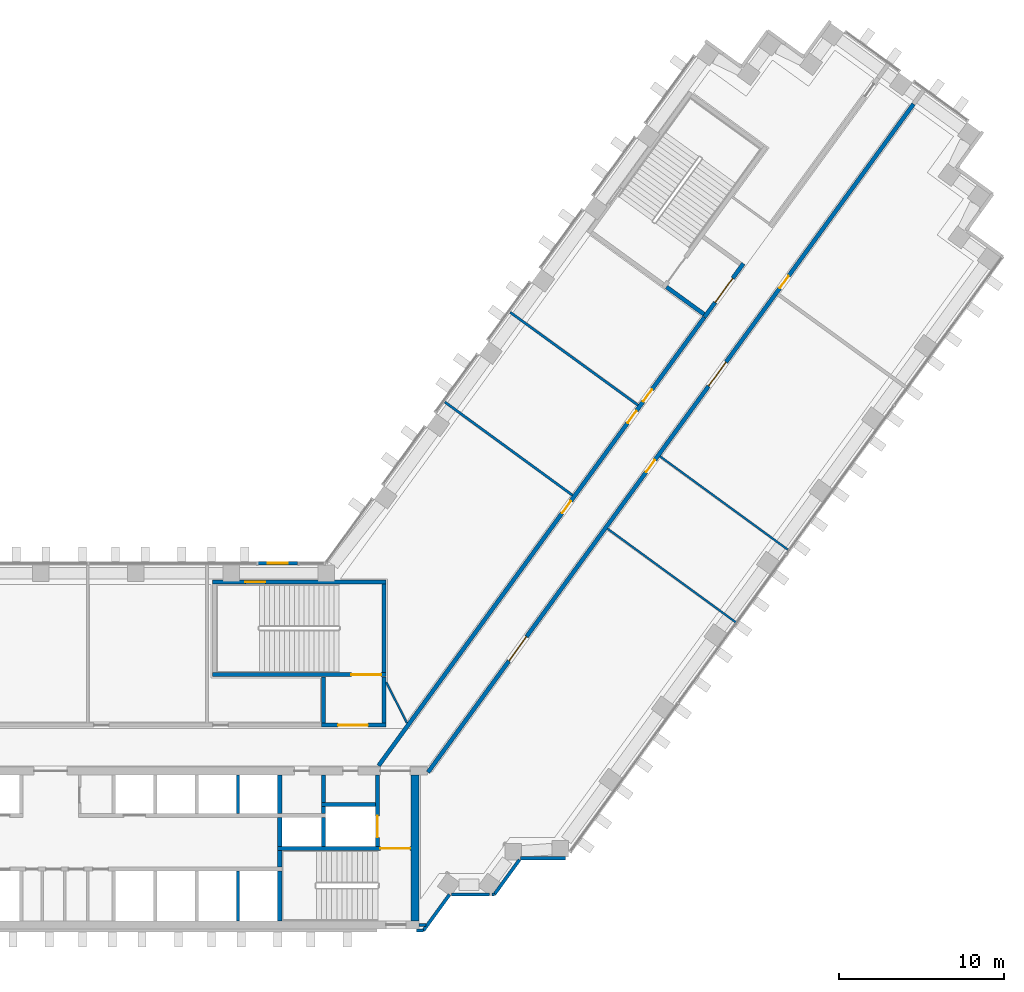
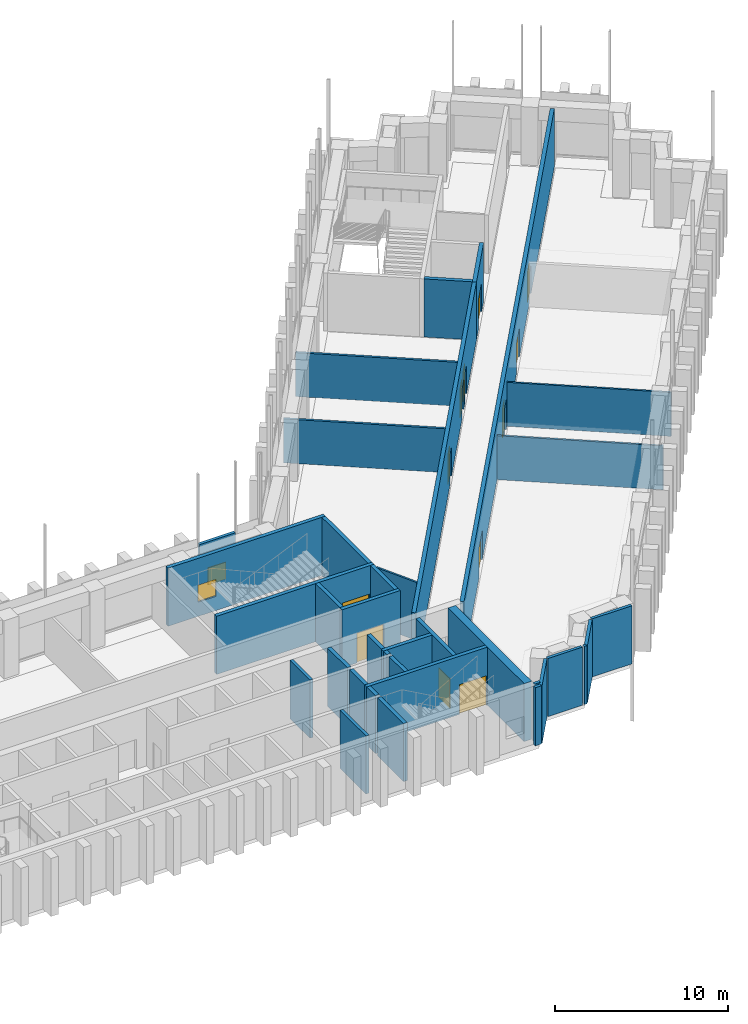
# One storey, part 13 of 18: 36 walls, 12 doors, 2 windows, 14 openings.
"""IFC4 building model written with IfcOpenShell, lengths in metres."""

from ifc_helpers import new_model, si_unit, direction, frame, frame_2d, origin, place, context, subcontext, project, spatial, rectangle, extrude, material, layer, layer_set, type_object, element, fill, save


model = new_model("IFC4")

# Units and contexts
model_context = context("Model", 3, precision=1e-05, world=origin(), true_north=direction((0.0, 1.0)))
body_context = subcontext(model_context, "Body", "Model", "MODEL_VIEW")
ifc_project = project(units=[si_unit("LENGTHUNIT", "METRE"), si_unit("AREAUNIT", "SQUARE_METRE"), si_unit("VOLUMEUNIT", "CUBIC_METRE"), si_unit("PLANEANGLEUNIT", "RADIAN"), si_unit("MASSUNIT", "GRAM", prefix="KILO")], contexts=[model_context])

# Site, building, storey
site_placement = place(None, origin())
site = spatial("IfcSite", under=ifc_project, at=site_placement, CompositionType="ELEMENT")
building_placement = place(site_placement, origin())
building = spatial("IfcBuilding", under=site, at=building_placement, Name="Quipu Civic Tower", CompositionType="ELEMENT")
storey_placement = place(building_placement, frame((0.0, 0.0, 16.0)))
storey = spatial("IfcBuildingStorey", under=building, at=storey_placement, Name="L03", CompositionType="ELEMENT", Elevation=16.0)

# Walls
ifc_material_1 = material(Name="Double gypsum plasterboard with mineral wool")
ifc_layer_1 = layer(ifc_material_1, 0.14990234375)
ifc_layer_set_1 = layer_set([ifc_layer_1], Name="Double gypsum plasterboard with mineral wool")
wall_type_1 = type_object("IfcWallType", Name="Acoustic partition 150 plasterboard", PredefinedType="PARTITIONING", material=ifc_layer_set_1)
wall_1_placement = place(storey_placement, frame((21.55029296875, 20.847900390625, 0.0), z_axis=(0.0, 0.0, 1.0), x_axis=(0.807606997933, -0.589721067023, 0.0)))
element("IfcWall", 1, at=wall_1_placement, inside=storey, type_object=wall_type_1, Name="Partition P01", PredefinedType="PARTITIONING", context=body_context, shape_type="SweptSolid", body=[
    extrude(rectangle(XDim=9.550048828125, YDim=0.14990234375, at=frame_2d((4.77490234375, 0.0))), origin(), (0.0, 0.0, 1.0), 3.10009765625),
])
wall_2_placement = place(storey_placement, frame((33.21826171875, 20.660888671875, 0.0), z_axis=(0.0, 0.0, 1.0), x_axis=(-0.808989175209, 0.587823540184, 0.0)))
element("IfcWall", 2, at=wall_2_placement, inside=storey, type_object=wall_type_1, Name="Partition P02", PredefinedType="PARTITIONING", context=body_context, shape_type="SweptSolid", body=[
    extrude(rectangle(XDim=9.549560546875, YDim=0.14990234375, at=frame_2d((4.77490234375, 0.0))), origin(), (0.0, 0.0, 1.0), 3.10009765625),
])
ifc_material_2 = material(Name="Concrete C70/85", Category="concrete")
ifc_layer_2 = layer(ifc_material_2, 0.25)
ifc_layer_set_2 = layer_set([ifc_layer_2], Name="Concrete C70/85")
wall_type_2 = type_object("IfcWallType", Name="Core wall 250", PredefinedType="SHEAR", material=ifc_layer_set_2)
wall_3_placement = place(storey_placement, frame((11.574951171875, -10.5, 0.0), z_axis=(0.0, 0.0, 1.0), x_axis=(0.0, 1.0, 0.0)))
element("IfcWall", 3, at=wall_3_placement, inside=storey, type_object=wall_type_2, Name="Core wall", PredefinedType="SHEAR", context=body_context, shape_type="SweptSolid", body=[
    extrude(rectangle(XDim=3.0, YDim=0.25, at=frame_2d((1.5, 0.0))), origin(), (0.0, 0.0, 1.0), 4.10009765625),
])
wall_4_placement = place(storey_placement, frame((11.574951171875, -7.25, 0.0), z_axis=(0.0, 0.0, 1.0), x_axis=(0.0, 1.0, 0.0)))
element("IfcWall", 4, at=wall_4_placement, inside=storey, type_object=wall_type_2, Name="Core wall", PredefinedType="SHEAR", context=body_context, shape_type="SweptSolid", body=[
    extrude(rectangle(XDim=1.0, YDim=0.25, at=frame_2d((0.5, 0.0))), origin(), (0.0, 0.0, 1.0), 4.10009765625),
])

# Wall, opening, door
wall_5_placement = place(storey_placement, frame((19.5, -6.125, 0.0), z_axis=(0.0, 0.0, 1.0), x_axis=(-1.0, 0.0, 0.0)))
wall_5 = element("IfcWall", 5, at=wall_5_placement, inside=storey, type_object=wall_type_2, Name="Core wall", PredefinedType="SHEAR", context=body_context, shape_type="SweptSolid", body=[
    extrude(rectangle(XDim=8.050048828125, YDim=0.25, at=frame_2d((4.02490234375, 0.0))), origin(), (0.0, 0.0, 1.0), 4.10009765625),
])
opening_1_placement = place(wall_5_placement, frame((0.050048828125, 0.0, 0.0)))
opening_1 = element("IfcOpeningElement", 6, at=opening_1_placement, cuts=wall_5, Name="Opening CD-06", PredefinedType="OPENING", context=body_context, shape_type="SweptSolid", body=[
    extrude(rectangle(XDim=1.800048828125, YDim=2.10009765625, at=frame_2d((0.89990234375, 1.050048828125))), frame((0.0, 0.135009765625, 0.0), z_axis=(0.0, -1.0, 0.0), x_axis=(1.0, 0.0, 0.0)), (0.0, 0.0, 1.0), 0.27001953125),
])
ifc_material_3 = material(Name="Fire rated steel door", Category="steel")
door_type_1 = type_object("IfcDoorType", Name="Fire door FD90 double 1800 x 2100", OperationType="NOTDEFINED", PredefinedType="DOOR", material=ifc_material_3)
door_1_placement = place(opening_1_placement, origin())
door_1 = element("IfcDoor", 7, at=door_1_placement, inside=storey, type_object=door_type_1, Name="Door", OperationType="DOUBLE_DOOR_SINGLE_SWING", OverallHeight=2.10009765625, OverallWidth=1.800048828125, PredefinedType="DOOR", context=body_context, shape_type="SweptSolid", body=[
    extrude(rectangle(XDim=1.800048828125, YDim=2.10009765625, at=frame_2d((0.89990234375, 1.050048828125))), frame((0.0, 0.02490234375, 0.0), z_axis=(0.0, -1.0, 0.0), x_axis=(1.0, 0.0, 0.0)), (0.0, 0.0, 1.0), 0.050048828125),
])
fill(opening_1, door_1)

# Walls
for number, where, z_axis, x_axis, name in (
    (8, (11.574951171875, -6.0, 0.0), (0.0, 0.0, 1.0), (0.0, 1.0, 0.0), "Core wall"),
    (9, (14.22509765625, -6.0, 0.0), (0.0, 0.0, 1.0), (0.0, 1.0, 0.0), "Core wall"),
):
    element("IfcWall", number, at=place(storey_placement, frame(where, z_axis=z_axis, x_axis=x_axis)), inside=storey, type_object=wall_type_2, Name=name, PredefinedType="SHEAR", context=body_context, shape_type="SweptSolid", body=[
        extrude(rectangle(XDim=1.75, YDim=0.25, at=frame_2d((0.875, 0.0))), origin(), (0.0, 0.0, 1.0), 4.10009765625),
    ])

# Wall, opening, door
wall_6_placement = place(storey_placement, frame((17.47509765625, -6.0, 0.0), z_axis=(0.0, 0.0, 1.0), x_axis=(0.0, 1.0, 0.0)))
wall_6 = element("IfcWall", 10, at=wall_6_placement, inside=storey, type_object=wall_type_2, Name="Core wall", PredefinedType="SHEAR", context=body_context, shape_type="SweptSolid", body=[
    extrude(rectangle(XDim=4.300048828125, YDim=0.25, at=frame_2d((2.14990234375, 0.0))), origin(), (0.0, 0.0, 1.0), 4.10009765625),
])
opening_2_placement = place(wall_6_placement, frame((0.550048828125, 0.0, 0.0)))
opening_2 = element("IfcOpeningElement", 11, at=opening_2_placement, cuts=wall_6, Name="Opening LD-FF2", PredefinedType="OPENING", context=body_context, shape_type="SweptSolid", body=[
    extrude(rectangle(XDim=1.300048828125, YDim=2.10009765625, at=frame_2d((0.64990234375, 1.050048828125))), frame((0.0, 0.135009765625, 0.0), z_axis=(0.0, -1.0, 0.0), x_axis=(1.0, 0.0, 0.0)), (0.0, 0.0, 1.0), 0.27001953125),
])
ifc_material_4 = material(Name="Stainless steel", Category="steel")
door_type_2 = type_object("IfcDoorType", Name="Lift landing door 1300 x 2100", OperationType="DOUBLE_DOOR_SLIDING", PredefinedType="DOOR", material=ifc_material_4)
door_2_placement = place(opening_2_placement, origin())
door_2 = element("IfcDoor", 12, at=door_2_placement, inside=storey, type_object=door_type_2, Name="Landing door FF2", OperationType="DOUBLE_DOOR_SLIDING", OverallHeight=2.10009765625, OverallWidth=1.300048828125, PredefinedType="DOOR", context=body_context, shape_type="SweptSolid", body=[
    extrude(rectangle(XDim=1.300048828125, YDim=2.10009765625, at=frame_2d((0.64990234375, 1.050048828125))), frame((0.0, 0.02490234375, 0.0), z_axis=(0.0, -1.0, 0.0), x_axis=(1.0, 0.0, 0.0)), (0.0, 0.0, 1.0), 0.050048828125),
])
fill(opening_2, door_2)

# Walls
wall_7_placement = place(storey_placement, frame((11.574951171875, -4.0, 0.0), z_axis=(0.0, 0.0, 1.0), x_axis=(0.0, 1.0, 0.0)))
element("IfcWall", 13, at=wall_7_placement, inside=storey, type_object=wall_type_2, Name="Core wall", PredefinedType="SHEAR", context=body_context, shape_type="SweptSolid", body=[
    extrude(rectangle(XDim=2.300048828125, YDim=0.25, at=frame_2d((1.14990234375, 0.0))), origin(), (0.0, 0.0, 1.0), 4.10009765625),
])
wall_8_placement = place(storey_placement, frame((14.22509765625, -4.0, 0.0), z_axis=(0.0, 0.0, 1.0), x_axis=(0.0, 1.0, 0.0)))
element("IfcWall", 14, at=wall_8_placement, inside=storey, type_object=wall_type_2, Name="Core wall", PredefinedType="SHEAR", context=body_context, shape_type="SweptSolid", body=[
    extrude(rectangle(XDim=0.39990234375, YDim=0.25, at=frame_2d((0.199951171875, 0.0))), origin(), (0.0, 0.0, 1.0), 4.10009765625),
])
wall_9_placement = place(storey_placement, frame((14.10009765625, -3.47509765625, 0.0), z_axis=(0.0, 0.0, 1.0), x_axis=(1.0, 0.0, 0.0)))
element("IfcWall", 15, at=wall_9_placement, inside=storey, type_object=wall_type_2, Name="Core wall", PredefinedType="SHEAR", context=body_context, shape_type="SweptSolid", body=[
    extrude(rectangle(XDim=3.25, YDim=0.25, at=frame_2d((1.625, 0.0))), origin(), (0.0, 0.0, 1.0), 4.10009765625),
])
wall_10_placement = place(storey_placement, frame((14.22509765625, -3.35009765625, 0.0), z_axis=(0.0, 0.0, 1.0), x_axis=(0.0, 1.0, 0.0)))
element("IfcWall", 16, at=wall_10_placement, inside=storey, type_object=wall_type_2, Name="Core wall", PredefinedType="SHEAR", context=body_context, shape_type="SweptSolid", body=[
    extrude(rectangle(XDim=1.650146484375, YDim=0.25, at=frame_2d((0.8251953125, 0.0))), origin(), (0.0, 0.0, 1.0), 4.10009765625),
])

# Wall, opening, door
wall_11_placement = place(storey_placement, frame((14.10009765625, 1.324951171875, 0.0), z_axis=(0.0, 0.0, 1.0), x_axis=(1.0, 0.0, 0.0)))
wall_11 = element("IfcWall", 17, at=wall_11_placement, inside=storey, type_object=wall_type_2, Name="Core wall", PredefinedType="SHEAR", context=body_context, shape_type="SweptSolid", body=[
    extrude(rectangle(XDim=3.89990234375, YDim=0.25, at=frame_2d((1.949951171875, 0.0))), origin(), (0.0, 0.0, 1.0), 4.10009765625),
])
opening_3_placement = place(wall_11_placement, frame((1.0, 0.0, 0.0)))
opening_3 = element("IfcOpeningElement", 18, at=opening_3_placement, cuts=wall_11, Name="Opening CD-18", PredefinedType="OPENING", context=body_context, shape_type="SweptSolid", body=[
    extrude(rectangle(XDim=1.800048828125, YDim=2.10009765625, at=frame_2d((0.89990234375, 1.050048828125))), frame((0.0, 0.135009765625, 0.0), z_axis=(0.0, -1.0, 0.0), x_axis=(1.0, 0.0, 0.0)), (0.0, 0.0, 1.0), 0.27001953125),
])
door_3_placement = place(opening_3_placement, origin())
door_3 = element("IfcDoor", 19, at=door_3_placement, inside=storey, type_object=door_type_1, Name="Lobby door", OperationType="DOUBLE_DOOR_SINGLE_SWING", OverallHeight=2.10009765625, OverallWidth=1.800048828125, PredefinedType="DOOR", context=body_context, shape_type="SweptSolid", body=[
    extrude(rectangle(XDim=1.800048828125, YDim=2.10009765625, at=frame_2d((0.89990234375, 1.050048828125))), frame((0.0, 0.02490234375, 0.0), z_axis=(0.0, -1.0, 0.0), x_axis=(1.0, 0.0, 0.0)), (0.0, 0.0, 1.0), 0.050048828125),
])
fill(opening_3, door_3)

# Walls
for number, where, z_axis, x_axis, name in (
    (20, (14.22509765625, 1.449951171875, 0.0), (0.0, 0.0, 1.0), (0.0, 1.0, 0.0), "Core wall"),
    (21, (17.875, 1.449951171875, 0.0), (0.0, 0.0, 1.0), (0.0, 1.0, 0.0), "Core wall"),
):
    element("IfcWall", number, at=place(storey_placement, frame(where, z_axis=z_axis, x_axis=x_axis)), inside=storey, type_object=wall_type_2, Name=name, PredefinedType="SHEAR", context=body_context, shape_type="SweptSolid", body=[
        extrude(rectangle(XDim=2.800048828125, YDim=0.25, at=frame_2d((1.39990234375, 0.0))), origin(), (0.0, 0.0, 1.0), 4.10009765625),
    ])

# Wall, opening, door
wall_12_placement = place(storey_placement, frame((7.5, 4.375, 0.0), z_axis=(0.0, 0.0, 1.0), x_axis=(1.0, 0.0, 0.0)))
wall_12 = element("IfcWall", 22, at=wall_12_placement, inside=storey, type_object=wall_type_2, Name="Core wall", PredefinedType="SHEAR", context=body_context, shape_type="SweptSolid", body=[
    extrude(rectangle(XDim=10.5, YDim=0.25, at=frame_2d((5.25, 0.0))), origin(), (0.0, 0.0, 1.0), 4.10009765625),
])
opening_4_placement = place(wall_12_placement, frame((8.39990234375, 0.0, 0.0)))
opening_4 = element("IfcOpeningElement", 23, at=opening_4_placement, cuts=wall_12, Name="Opening CD-19", PredefinedType="OPENING", context=body_context, shape_type="SweptSolid", body=[
    extrude(rectangle(XDim=1.800048828125, YDim=2.10009765625, at=frame_2d((0.89990234375, 1.050048828125))), frame((0.0, 0.135009765625, 0.0), z_axis=(0.0, -1.0, 0.0), x_axis=(1.0, 0.0, 0.0)), (0.0, 0.0, 1.0), 0.27001953125),
])
door_4_placement = place(opening_4_placement, origin())
door_4 = element("IfcDoor", 24, at=door_4_placement, inside=storey, type_object=door_type_1, Name="Door", OperationType="DOUBLE_DOOR_SINGLE_SWING", OverallHeight=2.10009765625, OverallWidth=1.800048828125, PredefinedType="DOOR", context=body_context, shape_type="SweptSolid", body=[
    extrude(rectangle(XDim=1.800048828125, YDim=2.10009765625, at=frame_2d((0.89990234375, 1.050048828125))), frame((0.0, 0.02490234375, 0.0), z_axis=(0.0, -1.0, 0.0), x_axis=(1.0, 0.0, 0.0)), (0.0, 0.0, 1.0), 0.050048828125),
])
fill(opening_4, door_4)

# Wall
wall_13_placement = place(storey_placement, frame((17.875, 4.5, 0.0), z_axis=(0.0, 0.0, 1.0), x_axis=(0.0, 1.0, 0.0)))
element("IfcWall", 25, at=wall_13_placement, inside=storey, type_object=wall_type_2, Name="Core wall", PredefinedType="SHEAR", context=body_context, shape_type="SweptSolid", body=[
    extrude(rectangle(XDim=5.35009765625, YDim=0.25, at=frame_2d((2.675048828125, 0.0))), origin(), (0.0, 0.0, 1.0), 4.10009765625),
])

# Wall, opening, window
wall_14_placement = place(storey_placement, frame((7.5, 9.97509765625, 0.0), z_axis=(0.0, 0.0, 1.0), x_axis=(1.0, 0.0, 0.0)))
wall_14 = element("IfcWall", 26, at=wall_14_placement, inside=storey, type_object=wall_type_2, Name="Core wall", PredefinedType="SHEAR", context=body_context, shape_type="SweptSolid", body=[
    extrude(rectangle(XDim=10.5, YDim=0.25, at=frame_2d((5.25, 0.0))), origin(), (0.0, 0.0, 1.0), 4.10009765625),
])
opening_5_placement = place(wall_14_placement, frame((2.0, 0.0, 1.0)))
opening_5 = element("IfcOpeningElement", 27, at=opening_5_placement, cuts=wall_14, Name="Opening SV-4", PredefinedType="OPENING", context=body_context, shape_type="SweptSolid", body=[
    extrude(rectangle(XDim=1.199951171875, YDim=1.199951171875, at=frame_2d((0.60009765625, 0.60009765625))), frame((0.0, 0.135009765625, 0.0), z_axis=(0.0, -1.0, 0.0), x_axis=(1.0, 0.0, 0.0)), (0.0, 0.0, 1.0), 0.27001953125),
])
ifc_material_5 = material(Name="Aluminium louvre", Category="aluminium")
window_type_1 = type_object("IfcWindowType", Name="Stair ventilation louvre 1200 x 1200", PartitioningType="SINGLE_PANEL", PredefinedType="WINDOW", material=ifc_material_5)
window_1_placement = place(opening_5_placement, origin())
window_1 = element("IfcWindow", 28, at=window_1_placement, inside=storey, type_object=window_type_1, Name="Stair ventilation opening", OverallHeight=1.199951171875, OverallWidth=1.199951171875, PartitioningType="SINGLE_PANEL", PredefinedType="WINDOW", context=body_context, shape_type="SweptSolid", body=[
    extrude(rectangle(XDim=1.199951171875, YDim=1.199951171875, at=frame_2d((0.60009765625, 0.60009765625))), frame((0.0, 0.030029296875, 0.0), z_axis=(0.0, -1.0, 0.0), x_axis=(1.0, 0.0, 0.0)), (0.0, 0.0, 1.0), 0.06005859375),
])
fill(opening_5, window_1)

# Wall, opening, door
wall_15_placement = place(storey_placement, frame((37.237548828125, 25.979736328125, 0.0), z_axis=(0.0, 0.0, 1.0), x_axis=(0.587772420479, 0.809026317077, 0.0)))
wall_15 = element("IfcWall", 29, at=wall_15_placement, inside=storey, type_object=wall_type_2, Name="Core wall", PredefinedType="SHEAR", context=body_context, shape_type="SweptSolid", body=[
    extrude(rectangle(XDim=4.0, YDim=0.25, at=frame_2d((2.0, 0.0))), origin(), (0.0, 0.0, 1.0), 4.10009765625),
])
opening_6_placement = place(wall_15_placement, frame((1.10009765625, 0.0, 0.0)))
opening_6 = element("IfcOpeningElement", 30, at=opening_6_placement, cuts=wall_15, Name="Opening CD-22", PredefinedType="OPENING", context=body_context, shape_type="SweptSolid", body=[
    extrude(rectangle(XDim=1.800048828125, YDim=2.10009765625, at=frame_2d((0.89990234375, 1.050048828125))), frame((0.0, 0.135009765625, 0.0), z_axis=(0.0, -1.0, 0.0), x_axis=(1.0, 0.0, 0.0)), (0.0, 0.0, 1.0), 0.27001953125),
])
door_5_placement = place(opening_6_placement, origin())
door_5 = element("IfcDoor", 31, at=door_5_placement, inside=storey, type_object=door_type_1, Name="Lobby door", OperationType="DOUBLE_DOOR_SINGLE_SWING", OverallHeight=2.10009765625, OverallWidth=1.800048828125, PredefinedType="DOOR", context=body_context, shape_type="SweptSolid", body=[
    extrude(rectangle(XDim=1.800048828125, YDim=2.10009765625, at=frame_2d((0.89990234375, 1.050048828125))), frame((0.0, 0.02490234375, 0.0), z_axis=(0.0, -1.0, 0.0), x_axis=(1.0, 0.0, 0.0)), (0.0, 0.0, 1.0), 0.050048828125),
])
fill(opening_6, door_5)

# Walls
wall_16_placement = place(storey_placement, frame((37.2099609375, 26.154296875, 0.0), z_axis=(0.0, 0.0, 1.0), x_axis=(-0.809041377956, 0.587751689708, 0.0)))
element("IfcWall", 32, at=wall_16_placement, inside=storey, type_object=wall_type_2, Name="Core wall", PredefinedType="SHEAR", context=body_context, shape_type="SweptSolid", body=[
    extrude(rectangle(XDim=2.800048828125, YDim=0.25, at=frame_2d((1.39990234375, 0.0))), origin(), (0.0, 0.0, 1.0), 4.10009765625),
])
ifc_material_6 = material(Name="Concrete C70/85", Category="concrete")
ifc_layer_3 = layer(ifc_material_6, 0.5)
ifc_layer_set_3 = layer_set([ifc_layer_3], Name="Concrete C70/85")
wall_type_3 = type_object("IfcWallType", Name="Core wall 500", PredefinedType="SHEAR", material=ifc_layer_set_3)
wall_17_placement = place(storey_placement, frame((19.75, -10.5, 0.0), z_axis=(0.0, 0.0, 1.0), x_axis=(0.0, 1.0, 0.0)))
element("IfcWall", 33, at=wall_17_placement, inside=storey, type_object=wall_type_3, Name="Core wall", PredefinedType="SHEAR", context=body_context, shape_type="SweptSolid", body=[
    extrude(rectangle(XDim=8.800048828125, YDim=0.5, at=frame_2d((4.39990234375, 0.0))), origin(), (0.0, 0.0, 1.0), 4.10009765625),
])

# Wall, openings, doors
ifc_material_7 = material(Name="Concrete C50/60", Category="concrete")
ifc_layer_4 = layer(ifc_material_7, 0.25)
ifc_layer_set_4 = layer_set([ifc_layer_4], Name="Concrete C50/60")
wall_type_4 = type_object("IfcWallType", Name="Corridor wall 250 concrete", PredefinedType="SOLIDWALL", material=ifc_layer_set_4)
wall_18_placement = place(storey_placement, frame((49.86865234375, 38.8564453125, 0.0), z_axis=(0.0, 0.0, 1.0), x_axis=(-0.587784522481, -0.809017524614, 0.0)))
wall_18 = element("IfcWall", 34, at=wall_18_placement, inside=storey, type_object=wall_type_4, Name="Corridor wall C01", PredefinedType="SOLIDWALL", context=body_context, shape_type="SweptSolid", body=[
    extrude(rectangle(XDim=49.912353515625, YDim=0.25, at=frame_2d((24.9560546875, 0.0))), origin(), (0.0, 0.0, 1.0), 4.10009765625),
])
opening_7_placement = place(wall_18_placement, frame((19.271484375, 0.0, 0.0)))
opening_7 = element("IfcOpeningElement", 35, at=opening_7_placement, cuts=wall_18, Name="Opening D007", PredefinedType="OPENING", context=body_context, shape_type="SweptSolid", body=[
    extrude(rectangle(XDim=1.800048828125, YDim=2.10009765625, at=frame_2d((0.89990234375, 1.050048828125))), frame((0.0, 0.135009765625, 0.0), z_axis=(0.0, -1.0, 0.0), x_axis=(1.0, 0.0, 0.0)), (0.0, 0.0, 1.0), 0.27001953125),
])
opening_8_placement = place(wall_18_placement, frame((26.596435546875, 0.0, 0.0)))
opening_8 = element("IfcOpeningElement", 36, at=opening_8_placement, cuts=wall_18, Name="Opening D006", PredefinedType="OPENING", context=body_context, shape_type="SweptSolid", body=[
    extrude(rectangle(XDim=0.89990234375, YDim=2.10009765625, at=frame_2d((0.449951171875, 1.050048828125))), frame((0.0, 0.135009765625, 0.0), z_axis=(0.0, -1.0, 0.0), x_axis=(1.0, 0.0, 0.0)), (0.0, 0.0, 1.0), 0.27001953125),
])
opening_9_placement = place(wall_18_placement, frame((12.846435546875, 0.0, 0.0)))
opening_9 = element("IfcOpeningElement", 37, at=opening_9_placement, cuts=wall_18, Name="Opening D008", PredefinedType="OPENING", context=body_context, shape_type="SweptSolid", body=[
    extrude(rectangle(XDim=0.89990234375, YDim=2.10009765625, at=frame_2d((0.449951171875, 1.050048828125))), frame((0.0, 0.135009765625, 0.0), z_axis=(0.0, -1.0, 0.0), x_axis=(1.0, 0.0, 0.0)), (0.0, 0.0, 1.0), 0.27001953125),
])
opening_10_placement = place(wall_18_placement, frame((39.78759765625, 0.0, 0.0)))
opening_10 = element("IfcOpeningElement", 38, at=opening_10_placement, cuts=wall_18, Name="Opening D005", PredefinedType="OPENING", context=body_context, shape_type="SweptSolid", body=[
    extrude(rectangle(XDim=1.800048828125, YDim=2.10009765625, at=frame_2d((0.89990234375, 1.050048828125))), frame((0.0, 0.135009765625, 0.0), z_axis=(0.0, -1.0, 0.0), x_axis=(1.0, 0.0, 0.0)), (0.0, 0.0, 1.0), 0.27001953125),
])
ifc_material_8 = material(Name="Fire rated timber door set with metal frame", Category="wood")
door_type_3 = type_object("IfcDoorType", Name="Double door 1800 x 2100 FD60", OperationType="DOUBLE_DOOR_SINGLE_SWING", PredefinedType="DOOR", material=ifc_material_8)
door_6_placement = place(opening_7_placement, origin())
door_6 = element("IfcDoor", 39, at=door_6_placement, inside=storey, type_object=door_type_3, Name="Door D007", OperationType="DOUBLE_DOOR_SINGLE_SWING", OverallHeight=2.10009765625, OverallWidth=1.800048828125, PredefinedType="DOOR", context=body_context, shape_type="SweptSolid", body=[
    extrude(rectangle(XDim=1.800048828125, YDim=2.10009765625, at=frame_2d((0.89990234375, 1.050048828125))), frame((0.0, 0.02490234375, 0.0), z_axis=(0.0, -1.0, 0.0), x_axis=(1.0, 0.0, 0.0)), (0.0, 0.0, 1.0), 0.050048828125),
])
fill(opening_7, door_6)
door_7_placement = place(opening_10_placement, origin())
door_7 = element("IfcDoor", 40, at=door_7_placement, inside=storey, type_object=door_type_3, Name="Door D005", OperationType="DOUBLE_DOOR_SINGLE_SWING", OverallHeight=2.10009765625, OverallWidth=1.800048828125, PredefinedType="DOOR", context=body_context, shape_type="SweptSolid", body=[
    extrude(rectangle(XDim=1.800048828125, YDim=2.10009765625, at=frame_2d((0.89990234375, 1.050048828125))), frame((0.0, 0.02490234375, 0.0), z_axis=(0.0, -1.0, 0.0), x_axis=(1.0, 0.0, 0.0)), (0.0, 0.0, 1.0), 0.050048828125),
])
fill(opening_10, door_7)
ifc_material_9 = material(Name="Fire rated timber door set with metal frame", Category="wood")
door_type_4 = type_object("IfcDoorType", Name="Single door 900 x 2100 FD60", OperationType="NOTDEFINED", PredefinedType="DOOR", material=ifc_material_9)
door_8_placement = place(opening_8_placement, origin())
door_8 = element("IfcDoor", 41, at=door_8_placement, inside=storey, type_object=door_type_4, Name="Door D006", OperationType="SINGLE_SWING_LEFT", OverallHeight=2.10009765625, OverallWidth=0.89990234375, PredefinedType="DOOR", context=body_context, shape_type="SweptSolid", body=[
    extrude(rectangle(XDim=0.89990234375, YDim=2.10009765625, at=frame_2d((0.449951171875, 1.050048828125))), frame((0.0, 0.02490234375, 0.0), z_axis=(0.0, -1.0, 0.0), x_axis=(1.0, 0.0, 0.0)), (0.0, 0.0, 1.0), 0.050048828125),
])
fill(opening_8, door_8)
door_9_placement = place(opening_9_placement, origin())
door_9 = element("IfcDoor", 42, at=door_9_placement, inside=storey, type_object=door_type_4, Name="Door D008", OperationType="SINGLE_SWING_RIGHT", OverallHeight=2.10009765625, OverallWidth=0.89990234375, PredefinedType="DOOR", context=body_context, shape_type="SweptSolid", body=[
    extrude(rectangle(XDim=0.89990234375, YDim=2.10009765625, at=frame_2d((0.449951171875, 1.050048828125))), frame((0.0, 0.02490234375, 0.0), z_axis=(0.0, -1.0, 0.0), x_axis=(1.0, 0.0, 0.0)), (0.0, 0.0, 1.0), 0.050048828125),
])
fill(opening_9, door_9)

wall_19_placement = place(storey_placement, frame((17.544921875, -1.124755859375, 0.0), z_axis=(0.0, 0.0, 1.0), x_axis=(0.587786323093, 0.809016216391, 0.0)))
wall_19 = element("IfcWall", 43, at=wall_19_placement, inside=storey, type_object=wall_type_4, Name="Corridor wall C06", PredefinedType="SOLIDWALL", context=body_context, shape_type="SweptSolid", body=[
    extrude(rectangle(XDim=33.4931640625, YDim=0.25, at=frame_2d((16.74658203125, 0.0))), origin(), (0.0, 0.0, 1.0), 4.10009765625),
])
opening_11_placement = place(wall_19_placement, frame((25.607666015625, 0.0, 0.0)))
opening_11 = element("IfcOpeningElement", 44, at=opening_11_placement, cuts=wall_19, Name="Opening D002", PredefinedType="OPENING", context=body_context, shape_type="SweptSolid", body=[
    extrude(rectangle(XDim=0.89990234375, YDim=2.10009765625, at=frame_2d((0.449951171875, 1.050048828125))), frame((0.0, 0.135009765625, 0.0), z_axis=(0.0, -1.0, 0.0), x_axis=(1.0, 0.0, 0.0)), (0.0, 0.0, 1.0), 0.27001953125),
])
opening_12_placement = place(wall_19_placement, frame((18.85791015625, 0.0, 0.0)))
opening_12 = element("IfcOpeningElement", 45, at=opening_12_placement, cuts=wall_19, Name="Opening D001", PredefinedType="OPENING", context=body_context, shape_type="SweptSolid", body=[
    extrude(rectangle(XDim=0.89990234375, YDim=2.10009765625, at=frame_2d((0.449951171875, 1.050048828125))), frame((0.0, 0.135009765625, 0.0), z_axis=(0.0, -1.0, 0.0), x_axis=(1.0, 0.0, 0.0)), (0.0, 0.0, 1.0), 0.27001953125),
])
opening_13_placement = place(wall_19_placement, frame((27.207763671875, 0.0, 0.0)))
opening_13 = element("IfcOpeningElement", 46, at=opening_13_placement, cuts=wall_19, Name="Opening D003", PredefinedType="OPENING", context=body_context, shape_type="SweptSolid", body=[
    extrude(rectangle(XDim=0.89990234375, YDim=2.10009765625, at=frame_2d((0.449951171875, 1.050048828125))), frame((0.0, 0.135009765625, 0.0), z_axis=(0.0, -1.0, 0.0), x_axis=(1.0, 0.0, 0.0)), (0.0, 0.0, 1.0), 0.27001953125),
])
door_10_placement = place(opening_11_placement, origin())
door_10 = element("IfcDoor", 47, at=door_10_placement, inside=storey, type_object=door_type_4, Name="Door D002", OperationType="SINGLE_SWING_RIGHT", OverallHeight=2.10009765625, OverallWidth=0.89990234375, PredefinedType="DOOR", context=body_context, shape_type="SweptSolid", body=[
    extrude(rectangle(XDim=0.89990234375, YDim=2.10009765625, at=frame_2d((0.449951171875, 1.050048828125))), frame((0.0, 0.02490234375, 0.0), z_axis=(0.0, -1.0, 0.0), x_axis=(1.0, 0.0, 0.0)), (0.0, 0.0, 1.0), 0.050048828125),
])
fill(opening_11, door_10)
door_11_placement = place(opening_12_placement, origin())
door_11 = element("IfcDoor", 48, at=door_11_placement, inside=storey, type_object=door_type_4, Name="Door D001", OperationType="SINGLE_SWING_RIGHT", OverallHeight=2.10009765625, OverallWidth=0.89990234375, PredefinedType="DOOR", context=body_context, shape_type="SweptSolid", body=[
    extrude(rectangle(XDim=0.89990234375, YDim=2.10009765625, at=frame_2d((0.449951171875, 1.050048828125))), frame((0.0, 0.02490234375, 0.0), z_axis=(0.0, -1.0, 0.0), x_axis=(1.0, 0.0, 0.0)), (0.0, 0.0, 1.0), 0.050048828125),
])
fill(opening_12, door_11)
door_12_placement = place(opening_13_placement, origin())
door_12 = element("IfcDoor", 49, at=door_12_placement, inside=storey, type_object=door_type_4, Name="Door D003", OperationType="SINGLE_SWING_LEFT", OverallHeight=2.10009765625, OverallWidth=0.89990234375, PredefinedType="DOOR", context=body_context, shape_type="SweptSolid", body=[
    extrude(rectangle(XDim=0.89990234375, YDim=2.10009765625, at=frame_2d((0.449951171875, 1.050048828125))), frame((0.0, 0.02490234375, 0.0), z_axis=(0.0, -1.0, 0.0), x_axis=(1.0, 0.0, 0.0)), (0.0, 0.0, 1.0), 0.050048828125),
])
fill(opening_13, door_12)

# Walls
ifc_material_10 = material(Name="Gypsum plasterboard on light gauge framing")
ifc_layer_5 = layer(ifc_material_10, 0.1201171875)
ifc_layer_set_5 = layer_set([ifc_layer_5], Name="Gypsum plasterboard on light gauge framing")
wall_type_5 = type_object("IfcWallType", Name="Partition 120 plasterboard", PredefinedType="PARTITIONING", material=ifc_layer_set_5)
wall_20_placement = place(storey_placement, frame((34.5537109375, 17.565185546875, 0.0), z_axis=(0.0, 0.0, 1.0), x_axis=(0.807645841498, -0.589667868135, 0.0)))
element("IfcWall", 50, at=wall_20_placement, inside=storey, type_object=wall_type_5, Name="Partition P05", PredefinedType="PARTITIONING", context=body_context, shape_type="SweptSolid", body=[
    extrude(rectangle(XDim=9.550537109375, YDim=0.1201171875, at=frame_2d((4.775390625, 0.0))), origin(), (0.0, 0.0, 1.0), 3.10009765625),
])
wall_21_placement = place(storey_placement, frame((31.3798828125, 13.1962890625, 0.0), z_axis=(0.0, 0.0, 1.0), x_axis=(0.807701085448, -0.589592195137, 0.0)))
element("IfcWall", 51, at=wall_21_placement, inside=storey, type_object=wall_type_5, Name="Partition P08", PredefinedType="PARTITIONING", context=body_context, shape_type="SweptSolid", body=[
    extrude(rectangle(XDim=9.651123046875, YDim=0.1201171875, at=frame_2d((4.82568359375, 0.0))), origin(), (0.0, 0.0, 1.0), 3.10009765625),
])
wall_22_placement = place(storey_placement, frame((18.0, 3.925048828125, 0.0), z_axis=(0.0, 0.0, 1.0), x_axis=(0.453950796792, -0.891026752736, 0.0)))
element("IfcWall", 52, at=wall_22_placement, inside=storey, type_object=wall_type_5, Name="Partition P13", PredefinedType="PARTITIONING", context=body_context, shape_type="SweptSolid", body=[
    extrude(rectangle(XDim=2.77783203125, YDim=0.1201171875, at=frame_2d((1.388916015625, 0.0))), origin(), (0.0, 0.0, 1.0), 4.10009765625),
])
ifc_material_11 = material(Name="Precast concrete C40/50", Category="concrete")
wall_type_6 = type_object("IfcWallType", Name="Precast cladding wall", PredefinedType="SOLIDWALL", material=ifc_material_11)
wall_23_placement = place(storey_placement, frame((19.85009765625, -11.087890625, 0.0), z_axis=(0.0, 0.0, 1.0), x_axis=(1.0, 0.0, 0.0)))
element("IfcWall", 53, at=wall_23_placement, inside=storey, type_object=wall_type_6, Name="Precast cladding wall L03 P27", PredefinedType="SOLIDWALL", context=body_context, shape_type="SweptSolid", body=[
    extrude(rectangle(XDim=0.40576171875, YDim=0.199951171875, at=frame_2d((0.202880859375, 0.0))), origin(), (0.0, 0.0, 1.0), 4.10009765625),
])
wall_24_placement = place(storey_placement, frame((20.253173828125, -11.083251953125, 0.0), z_axis=(0.0, 0.0, 1.0), x_axis=(0.587766567315, 0.809030569476, 0.0)))
element("IfcWall", 54, at=wall_24_placement, inside=storey, type_object=wall_type_6, Name="Precast cladding wall L03 P28", PredefinedType="SOLIDWALL", context=body_context, shape_type="SweptSolid", body=[
    extrude(rectangle(XDim=2.687744140625, YDim=0.199951171875, at=frame_2d((1.34375, 0.0))), origin(), (0.0, 0.0, 1.0), 4.10009765625),
])
wall_25_placement = place(storey_placement, frame((21.943359375, -8.90380859375, 0.0), z_axis=(0.0, 0.0, 1.0), x_axis=(1.0, 0.0, 0.0)))
element("IfcWall", 55, at=wall_25_placement, inside=storey, type_object=wall_type_6, Name="Precast cladding wall L03 P29", PredefinedType="SOLIDWALL", context=body_context, shape_type="SweptSolid", body=[
    extrude(rectangle(XDim=2.2978515625, YDim=0.199951171875, at=frame_2d((1.14892578125, 0.0))), origin(), (0.0, 0.0, 1.0), 4.10009765625),
])
wall_26_placement = place(storey_placement, frame((24.38671875, -8.90380859375, 0.0), z_axis=(0.0, 0.0, 1.0), x_axis=(1.0, 0.0, 0.0)))
element("IfcWall", 56, at=wall_26_placement, inside=storey, type_object=wall_type_6, Name="Precast cladding wall L03 P30", PredefinedType="SOLIDWALL", context=body_context, shape_type="SweptSolid", body=[
    extrude(rectangle(XDim=0.156005859375, YDim=0.199951171875, at=frame_2d((0.078125, 0.0))), origin(), (0.0, 0.0, 1.0), 4.10009765625),
])
wall_27_placement = place(storey_placement, frame((24.540283203125, -8.89892578125, 0.0), z_axis=(0.0, 0.0, 1.0), x_axis=(0.587700286833, 0.809078718578, 0.0)))
element("IfcWall", 57, at=wall_27_placement, inside=storey, type_object=wall_type_6, Name="Precast cladding wall L03 P31", PredefinedType="SOLIDWALL", context=body_context, shape_type="SweptSolid", body=[
    extrude(rectangle(XDim=2.587158203125, YDim=0.199951171875, at=frame_2d((1.29345703125, 0.0))), origin(), (0.0, 0.0, 1.0), 4.10009765625),
])
wall_28_placement = place(storey_placement, frame((26.1298828125, -6.71923828125, 0.0), z_axis=(0.0, 0.0, 1.0), x_axis=(1.0, 0.0, 0.0)))
element("IfcWall", 58, at=wall_28_placement, inside=storey, type_object=wall_type_6, Name="Precast cladding wall L03 P32", PredefinedType="SOLIDWALL", context=body_context, shape_type="SweptSolid", body=[
    extrude(rectangle(XDim=2.699951171875, YDim=0.199951171875, at=frame_2d((1.35009765625, 0.0))), origin(), (0.0, 0.0, 1.0), 4.10009765625),
])

# Wall, opening, window
wall_29_placement = place(storey_placement, frame((12.655029296875, 11.10009765625, 0.0), z_axis=(0.0, 0.0, 1.0), x_axis=(-1.0, 0.0, 0.0)))
wall_29 = element("IfcWall", 59, at=wall_29_placement, inside=storey, type_object=wall_type_6, Name="Vent surround SF-L02-2", PredefinedType="SOLIDWALL", context=body_context, shape_type="SweptSolid", body=[
    extrude(rectangle(XDim=2.3916015625, YDim=0.199951171875, at=frame_2d((1.19580078125, 0.0))), origin(), (0.0, 0.0, 1.0), 4.10009765625),
])
opening_14_placement = place(wall_29_placement, frame((0.595703125, 0.0, 1.0)))
opening_14 = element("IfcOpeningElement", 60, at=opening_14_placement, cuts=wall_29, Name="Opening SF-L02-2", PredefinedType="OPENING", context=body_context, shape_type="SweptSolid", body=[
    extrude(rectangle(XDim=1.199951171875, YDim=1.199951171875, at=frame_2d((0.60009765625, 0.60009765625))), frame((0.0, 0.10986328125, 0.0), z_axis=(0.0, -1.0, 0.0), x_axis=(1.0, 0.0, 0.0)), (0.0, 0.0, 1.0), 0.219970703125),
])
ifc_material_12 = material(Name="Anodised aluminium louvre", Category="aluminium")
window_type_2 = type_object("IfcWindowType", Name="Stair vent louvre window P3", PartitioningType="SINGLE_PANEL", PredefinedType="WINDOW", material=ifc_material_12)
window_2_placement = place(opening_14_placement, origin())
window_2 = element("IfcWindow", 61, at=window_2_placement, inside=storey, type_object=window_type_2, Name="Stair vent louvre SF-L02-2", OverallHeight=1.199951171875, OverallWidth=1.199951171875, PartitioningType="SINGLE_PANEL", PredefinedType="WINDOW", context=body_context, shape_type="SweptSolid", body=[
    extrude(rectangle(XDim=1.199951171875, YDim=1.199951171875, at=frame_2d((0.60009765625, 0.60009765625))), frame((0.0, 0.030029296875, 0.0), z_axis=(0.0, -1.0, 0.0), x_axis=(1.0, 0.0, 0.0)), (0.0, 0.0, 1.0), 0.06005859375),
])
fill(opening_14, window_2)

# Walls
wall_30_placement = place(storey_placement, frame((19.97998046875, -10.75, 0.0), z_axis=(0.0, 0.0, 1.0), x_axis=(1.0, 0.0, 0.0)))
element("IfcWall", 62, at=wall_30_placement, inside=storey, type_object=wall_type_6, Name="Precast cladding return L03 E", PredefinedType="SOLIDWALL", context=body_context, shape_type="SweptSolid", body=[
    extrude(rectangle(XDim=0.41650390625, YDim=0.199951171875, at=frame_2d((0.208251953125, 0.0))), origin(), (0.0, 0.0, 1.0), 4.10009765625),
])
ifc_material_13 = material(Name="Concrete C40/50", Category="concrete")
ifc_layer_6 = layer(ifc_material_13, 0.199951171875)
ifc_layer_set_6 = layer_set([ifc_layer_6], Name="Concrete C40/50")
wall_type_7 = type_object("IfcWallType", Name="Shaft wall 200", PredefinedType="SOLIDWALL", material=ifc_layer_set_6)
wall_31_placement = place(storey_placement, frame((9.050048828125, -10.5, 0.0), z_axis=(0.0, 0.0, 1.0), x_axis=(0.0, 1.0, 0.0)))
element("IfcWall", 63, at=wall_31_placement, inside=storey, type_object=wall_type_7, Name="Shaft wall", PredefinedType="SOLIDWALL", context=body_context, shape_type="SweptSolid", body=[
    extrude(rectangle(XDim=3.0, YDim=0.199951171875, at=frame_2d((1.5, 0.0))), origin(), (0.0, 0.0, 1.0), 4.10009765625),
])
wall_32_placement = place(storey_placement, frame((9.050048828125, -4.0, 0.0), z_axis=(0.0, 0.0, 1.0), x_axis=(0.0, 1.0, 0.0)))
element("IfcWall", 64, at=wall_32_placement, inside=storey, type_object=wall_type_7, Name="Shaft wall", PredefinedType="SOLIDWALL", context=body_context, shape_type="SweptSolid", body=[
    extrude(rectangle(XDim=2.300048828125, YDim=0.199951171875, at=frame_2d((1.14990234375, 0.0))), origin(), (0.0, 0.0, 1.0), 4.10009765625),
])

save(model, "model.ifc")
